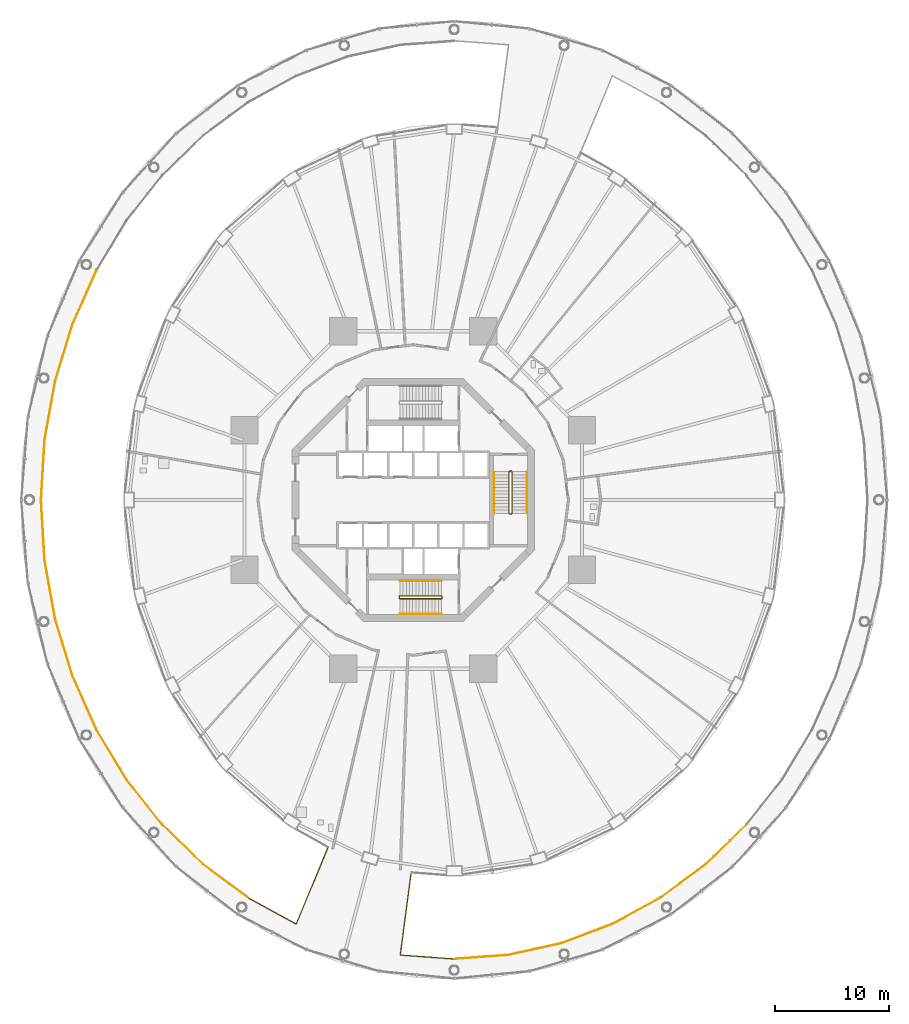
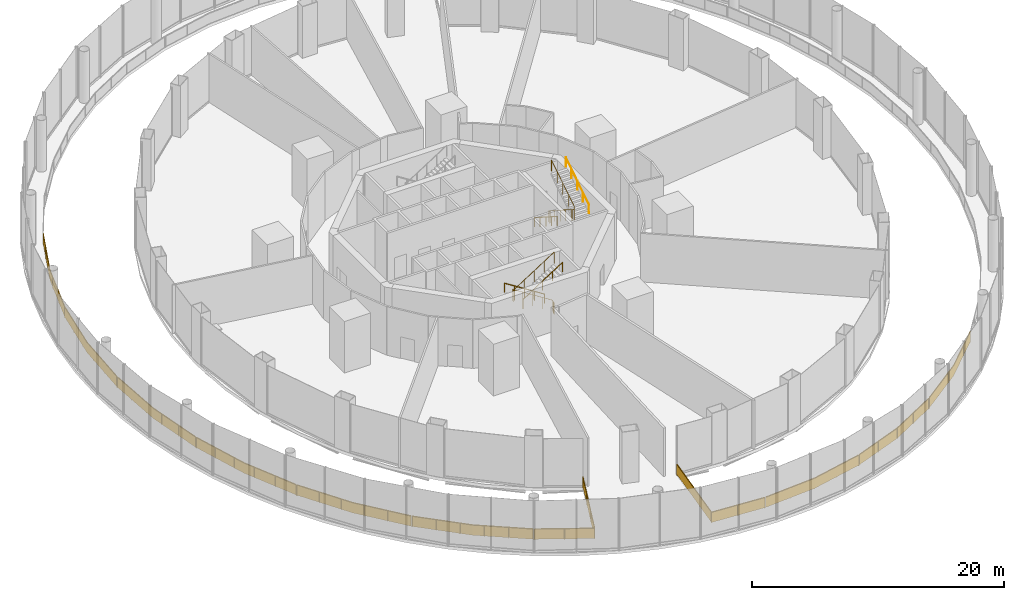
# One storey, part 45 of 47: 17 railings.
"""IFC4 building model written with IfcOpenShell, lengths in metres."""

import ifcopenshell
import ifcopenshell.guid

model = None  # the IFC model being written
_history = None  # IfcOwnerHistory: only IFC2X3 demands one
_inside = {}  # id of a spatial element -> (the spatial element, [elements in it])
_under = {}  # id of a project, library or spatial element -> (it, [spatial elements below it])
_declared = {}  # id of a project -> (the project, [libraries it declares])
_typed = {}  # id of a type object -> (the type object, [elements of that type])
_made_of = {}  # id of a material, layer set ... -> (it, [elements and type objects made of it])


def new_model(schema):
    """Start an empty IFC model of exactly this schema.

    Asked for "IFC4X3", IfcOpenShell would pick the latest addendum, in which some entities
    have other attributes; the version numbers below select the first issue.
    IFC2X3 requires an IfcOwnerHistory on every rooted entity: one is made here for all.
    """
    global model, _history
    if schema == "IFC4X3":
        model = ifcopenshell.file(schema_version=(4, 3, 0, 0))
    else:
        model = ifcopenshell.file(schema=schema)
    _inside.clear()
    _under.clear()
    _declared.clear()
    _typed.clear()
    _made_of.clear()
    _history = None
    if model.schema == "IFC2X3":
        org = make("IfcOrganization", Name="unknown")
        user = make(
            "IfcPersonAndOrganization",
            ThePerson=make("IfcPerson", FamilyName="unknown"),
            TheOrganization=org,
        )
        app = make(
            "IfcApplication",
            ApplicationDeveloper=org,
            Version="unknown",
            ApplicationFullName="unknown",
            ApplicationIdentifier="unknown",
        )
        _history = make(
            "IfcOwnerHistory",
            OwningUser=user,
            OwningApplication=app,
            ChangeAction="ADDED",
            CreationDate=0,
        )
    return model


def make(cls, **values):
    """One entity of the class cls with the attributes given. An attribute that is None is left unset."""
    return model.create_entity(
        cls, **{name: value for name, value in values.items() if value is not None}
    )


def rooted(cls, **values):
    """An entity with a GlobalId (a new one), such as an element, a storey or a relation."""
    return make(cls, GlobalId=ifcopenshell.guid.new(), OwnerHistory=_history, **values)


def si_unit(unit_type, name, prefix=None):
    """IfcSIUnit, for example si_unit("LENGTHUNIT", "METRE", prefix="MILLI")."""
    return make("IfcSIUnit", UnitType=unit_type, Prefix=prefix, Name=name)


def assignment(units):
    """IfcUnitAssignment: the units of a project."""
    return None if units is None else make("IfcUnitAssignment", Units=units)


def point(xyz):
    """IfcCartesianPoint."""
    return None if xyz is None else make("IfcCartesianPoint", Coordinates=xyz)


def direction(xyz):
    """IfcDirection."""
    return None if xyz is None else make("IfcDirection", DirectionRatios=xyz)


def frame(location, z_axis=None, x_axis=None):
    """IfcAxis2Placement3D, a coordinate frame: its origin and axes. An axis left out is left unset."""
    return make(
        "IfcAxis2Placement3D",
        Location=point(location),
        Axis=direction(z_axis),
        RefDirection=direction(x_axis),
    )


def frame_2d(location, x_axis=None):
    """IfcAxis2Placement2D, a coordinate frame in the plane: its origin and x axis."""
    return make(
        "IfcAxis2Placement2D", Location=point(location), RefDirection=direction(x_axis)
    )


def origin():
    """The frame at (0, 0, 0) with its axes left unset."""
    return frame((0.0, 0.0, 0.0))


def origin_2d():
    """The frame at (0, 0) in the plane with its x axis left unset."""
    return frame_2d((0.0, 0.0))


def place(relative_to, where):
    """IfcLocalPlacement: puts the frame where relative to a parent placement (None: the world)."""
    return make(
        "IfcLocalPlacement", PlacementRelTo=relative_to, RelativePlacement=where
    )


def context(
    kind, dimensions, precision=None, world=None, true_north=None, identifier=None
):
    """IfcGeometricRepresentationContext, for example the 3D "Model" context."""
    return make(
        "IfcGeometricRepresentationContext",
        ContextIdentifier=identifier,
        ContextType=kind,
        CoordinateSpaceDimension=dimensions,
        Precision=precision,
        WorldCoordinateSystem=world,
        TrueNorth=true_north,
    )


def subcontext(parent, identifier, kind, view, scale=None):
    """IfcGeometricRepresentationSubContext, for example "Body" below "Model"."""
    return make(
        "IfcGeometricRepresentationSubContext",
        ContextIdentifier=identifier,
        ContextType=kind,
        ParentContext=parent,
        TargetScale=scale,
        TargetView=view,
    )


def project(units=None, contexts=None):
    """IfcProject with its units and contexts."""
    return rooted(
        "IfcProject",
        Name="project",
        RepresentationContexts=contexts,
        UnitsInContext=assignment(units),
    )


def spatial(cls, under=None, at=None, **own):
    """A site, building, storey or space (cls), placed at a placement, below another one or the project."""
    s = rooted(cls, ObjectPlacement=at, **own)
    if under is not None:
        _under.setdefault(under.id(), (under, []))[1].append(s)
    return s


def polyline(points):
    """IfcPolyline through the points."""
    return make("IfcPolyline", Points=[point(p) for p in points])


def profile(cls, at=None, kind="AREA", **sizes):
    """A parametric profile (cls). Its sizes go by their IFC names, for example OverallWidth=200.0."""
    return make(cls, ProfileType=kind, Position=at, **sizes)


def rectangle(**sizes):
    """IfcRectangleProfileDef."""
    return profile("IfcRectangleProfileDef", **sizes)


def circle(**sizes):
    """IfcCircleProfileDef."""
    return profile("IfcCircleProfileDef", **sizes)


def outline(outer, holes=None, kind="AREA"):
    """IfcArbitraryClosedProfileDef: a profile drawn as a closed curve; with holes, ...WithVoids."""
    if holes is None:
        return make("IfcArbitraryClosedProfileDef", ProfileType=kind, OuterCurve=outer)
    return make(
        "IfcArbitraryProfileDefWithVoids",
        ProfileType=kind,
        OuterCurve=outer,
        InnerCurves=holes,
    )


def extrude(swept, where, along, depth):
    """IfcExtrudedAreaSolid: the profile swept, set in the frame where, extruded along a direction by depth."""
    return make(
        "IfcExtrudedAreaSolid",
        SweptArea=swept,
        Position=where,
        ExtrudedDirection=direction(along),
        Depth=depth,
    )


def shape(context_of_items, identifier, shape_type, items):
    """IfcShapeRepresentation: the items that make up one representation, for example the "Body"."""
    return make(
        "IfcShapeRepresentation",
        ContextOfItems=context_of_items,
        RepresentationIdentifier=identifier,
        RepresentationType=shape_type,
        Items=items,
    )


def material(Name=None, Category=None):
    """IfcMaterial."""
    return make("IfcMaterial", Name=Name, Category=Category)


def made_of(thing, what):
    """Note that an element or type object is made of a material, layer set ...; save() writes the relation."""
    if what is not None:
        _made_of.setdefault(what.id(), (what, []))[1].append(thing)
    return thing


def type_object(cls, material=None, **own):
    """A type object (cls), such as IfcWallType, which elements share."""
    return made_of(rooted(cls, **own), material)


def element(
    cls,
    number,
    at=None,
    inside=None,
    cuts=None,
    type_object=None,
    material=None,
    context=None,
    identifier="Body",
    shape_type=None,
    held_by="IfcProductDefinitionShape",
    body=None,
    shapes=None,
    **own,
):
    """One element of the class cls, such as IfcWall. Its Tag is "e" and its number.

    at: its placement. inside: the storey or other place that contains it. cuts: it is an
    opening in that element (IfcRelVoidsElement). A single representation is given by context,
    identifier, shape_type and body (its items); several are given by shapes. held_by: the class
    of the entity that holds the representations. save() writes the other relations.
    """
    e = rooted(cls, Tag="e%d" % number, ObjectPlacement=at, **own)
    if body is not None:
        shapes = [shape(context, identifier, shape_type, body)]
    if shapes is not None:
        e.Representation = make(held_by, Representations=shapes)
    if inside is not None:
        _inside.setdefault(inside.id(), (inside, []))[1].append(e)
    if cuts is not None:
        rooted(
            "IfcRelVoidsElement", RelatingBuildingElement=cuts, RelatedOpeningElement=e
        )
    if type_object is not None:
        _typed.setdefault(type_object.id(), (type_object, []))[1].append(e)
    return made_of(e, material)


def aggregate(whole, parts):
    """IfcRelAggregates: a whole, such as a stair, and the parts it consists of."""
    return rooted("IfcRelAggregates", RelatingObject=whole, RelatedObjects=parts)


def save(model, path):
    """Write the relations noted so far, then the file.

    IfcRelAggregates (storeys below a building ...), IfcRelContainedInSpatialStructure (elements
    in a storey), IfcRelDefinesByType, IfcRelAssociatesMaterial and IfcRelDeclares: one each for
    every whole, place, type object, material and project.
    """
    for whole, parts in _under.values():
        aggregate(whole, parts)
    for where, things in _inside.values():
        rooted(
            "IfcRelContainedInSpatialStructure",
            RelatedElements=things,
            RelatingStructure=where,
        )
    for kind, things in _typed.values():
        rooted("IfcRelDefinesByType", RelatedObjects=things, RelatingType=kind)
    for what, things in _made_of.values():
        rooted("IfcRelAssociatesMaterial", RelatedObjects=things, RelatingMaterial=what)
    for by, libraries in _declared.values():
        rooted("IfcRelDeclares", RelatingContext=by, RelatedDefinitions=libraries)
    model.write(path)


model = new_model("IFC4")

# Units and contexts
model_context = context("Model", 3, precision=1e-05, world=origin(), true_north=direction((0.0, 1.0)))
body_context = subcontext(model_context, "Body", "Model", "MODEL_VIEW")
ifc_project = project(units=[si_unit("LENGTHUNIT", "METRE"), si_unit("AREAUNIT", "SQUARE_METRE"), si_unit("VOLUMEUNIT", "CUBIC_METRE"), si_unit("PLANEANGLEUNIT", "RADIAN"), si_unit("MASSUNIT", "GRAM", prefix="KILO")], contexts=[model_context])

# Site, building, storey
site_placement = place(None, origin())
site = spatial("IfcSite", under=ifc_project, at=site_placement, CompositionType="ELEMENT")
building_placement = place(site_placement, origin())
building = spatial("IfcBuilding", under=site, at=building_placement, Name="Nagisa Residences", CompositionType="ELEMENT")
storey_placement = place(building_placement, frame((0.0, 0.0, 7.0)))
storey = spatial("IfcBuildingStorey", under=building, at=storey_placement, Name="L01", CompositionType="ELEMENT", Elevation=7.0)

# Railings
ifc_material_1 = material(Name="Stainless steel 316", Category="steel")
railing_type_1 = type_object("IfcRailingType", Name="ROOF GUARD 1100", PredefinedType="GUARDRAIL", material=ifc_material_1)
railing_1_placement = place(storey_placement, frame((-27.766357421875, 20.0634765625, 0.0)))
element("IfcRailing", 1, at=railing_1_placement, inside=storey, type_object=railing_type_1, Name="guard:L01:gal0-05", PredefinedType="GUARDRAIL", context=body_context, shape_type="SweptSolid", body=[
    extrude(outline(polyline([(-2.0546875, -4.6884765625), (0.02294921875, -0.01025390625), (-0.02294921875, 0.01025390625), (-2.1015625, -4.6708984375), (-3.6123046875, -9.61328125), (-3.564453125, -9.6279296875), (-2.0546875, -4.6884765625)])), frame((0.0, 0.0, 1.050048828125)), (0.0, 0.0, 1.0), 0.050048828125),
    extrude(outline(polyline([(-2.071533203125, -4.68212890625), (0.00634765625, -0.0029296875), (-0.00634765625, 0.0029296875), (-2.084716796875, -4.67724609375), (-3.594970703125, -9.61865234375), (-3.581787109375, -9.62255859375), (-2.071533203125, -4.68212890625)])), frame((0.0, 0.0, 0.06005859375)), (0.0, 0.0, 1.0), 0.989990234375),
    extrude(rectangle(XDim=0.0400390625, YDim=0.0400390625, at=origin_2d()), origin(), (0.0, 0.0, 1.0), 1.050048828125),
    extrude(rectangle(XDim=0.0400390625, YDim=0.0400390625, at=origin_2d()), frame((-0.8349609375, -1.88037109375, 0.0)), (0.0, 0.0, 1.0), 1.050048828125),
    extrude(rectangle(XDim=0.0400390625, YDim=0.0400390625, at=origin_2d()), frame((-1.669921875, -3.7607421875, 0.0)), (0.0, 0.0, 1.0), 1.050048828125),
    extrude(rectangle(XDim=0.0400390625, YDim=0.0400390625, at=origin_2d()), frame((-2.385498046875, -5.685546875, 0.0)), (0.0, 0.0, 1.0), 1.050048828125),
    extrude(rectangle(XDim=0.0400390625, YDim=0.0400390625, at=origin_2d()), frame((-2.987060546875, -7.653076171875, 0.0)), (0.0, 0.0, 1.0), 1.050048828125),
    extrude(rectangle(XDim=0.0400390625, YDim=0.0400390625, at=origin_2d()), frame((-3.58837890625, -9.62060546875, 0.0)), (0.0, 0.0, 1.0), 1.050048828125),
])
railing_2_placement = place(storey_placement, frame((-31.37353515625, 10.365234375, 0.0)))
element("IfcRailing", 2, at=railing_2_placement, inside=storey, type_object=railing_type_1, Name="guard:L01:gal0-06", PredefinedType="GUARDRAIL", context=body_context, shape_type="SweptSolid", body=[
    extrude(outline(polyline([(-0.891845703125, -5.12109375), (0.024658203125, -0.00439453125), (-0.024658203125, 0.00439453125), (-0.941650390625, -5.115234375), (-1.2490234375, -10.32373046875), (-1.19921875, -10.32666015625), (-0.891845703125, -5.12109375)])), frame((0.0, 0.0, 1.050048828125)), (0.0, 0.0, 1.0), 0.050048828125),
    extrude(outline(polyline([(-0.90966796875, -5.118896484375), (0.0068359375, -0.001220703125), (-0.0068359375, 0.001220703125), (-0.923828125, -5.117431640625), (-1.231201171875, -10.32470703125), (-1.217041015625, -10.32568359375), (-0.90966796875, -5.118896484375)])), frame((0.0, 0.0, 0.06005859375)), (0.0, 0.0, 1.0), 0.989990234375),
    extrude(rectangle(XDim=0.0400390625, YDim=0.0400390625, at=origin_2d()), origin(), (0.0, 0.0, 1.0), 1.050048828125),
    extrude(rectangle(XDim=0.0400390625, YDim=0.0400390625, at=origin_2d()), frame((-0.3671875, -2.050537109375, 0.0)), (0.0, 0.0, 1.0), 1.050048828125),
    extrude(rectangle(XDim=0.0400390625, YDim=0.0400390625, at=origin_2d()), frame((-0.734619140625, -4.10107421875, 0.0)), (0.0, 0.0, 1.0), 1.050048828125),
    extrude(rectangle(XDim=0.0400390625, YDim=0.0400390625, at=origin_2d()), frame((-0.978515625, -6.166259765625, 0.0)), (0.0, 0.0, 1.0), 1.050048828125),
    extrude(rectangle(XDim=0.0400390625, YDim=0.0400390625, at=origin_2d()), frame((-1.101318359375, -8.24560546875, 0.0)), (0.0, 0.0, 1.0), 1.050048828125),
    extrude(rectangle(XDim=0.0400390625, YDim=0.0400390625, at=origin_2d()), frame((-1.22412109375, -10.3251953125, 0.0)), (0.0, 0.0, 1.0), 1.050048828125),
])
railing_3_placement = place(storey_placement, frame((-32.59765625, -0.0400390625, 0.0)))
element("IfcRailing", 3, at=railing_3_placement, inside=storey, type_object=railing_type_1, Name="guard:L01:gal0-07", PredefinedType="GUARDRAIL", context=body_context, shape_type="SweptSolid", body=[
    extrude(outline(polyline([(0.332275390625, -5.2041015625), (0.02490234375, 0.00146484375), (-0.02490234375, -0.00146484375), (0.282470703125, -5.2099609375), (1.199462890625, -10.32958984375), (1.248779296875, -10.32080078125), (0.332275390625, -5.2041015625)])), frame((0.0, 0.0, 1.050048828125)), (0.0, 0.0, 1.0), 0.050048828125),
    extrude(outline(polyline([(0.314453125, -5.206298828125), (0.007080078125, 0.00048828125), (-0.007080078125, -0.00048828125), (0.30029296875, -5.207763671875), (1.21728515625, -10.326416015625), (1.23095703125, -10.323974609375), (0.314453125, -5.206298828125)])), frame((0.0, 0.0, 0.06005859375)), (0.0, 0.0, 1.0), 0.989990234375),
    extrude(rectangle(XDim=0.0400390625, YDim=0.0400390625, at=origin_2d()), origin(), (0.0, 0.0, 1.0), 1.050048828125),
    extrude(rectangle(XDim=0.0400390625, YDim=0.0400390625, at=origin_2d()), frame((0.122802734375, -2.07958984375, 0.0)), (0.0, 0.0, 1.0), 1.050048828125),
    extrude(rectangle(XDim=0.0400390625, YDim=0.0400390625, at=origin_2d()), frame((0.24560546875, -4.158935546875, 0.0)), (0.0, 0.0, 1.0), 1.050048828125),
    extrude(rectangle(XDim=0.0400390625, YDim=0.0400390625, at=origin_2d()), frame((0.489501953125, -6.22412109375, 0.0)), (0.0, 0.0, 1.0), 1.050048828125),
    extrude(rectangle(XDim=0.0400390625, YDim=0.0400390625, at=origin_2d()), frame((0.85693359375, -8.274658203125, 0.0)), (0.0, 0.0, 1.0), 1.050048828125),
    extrude(rectangle(XDim=0.0400390625, YDim=0.0400390625, at=origin_2d()), frame((1.22412109375, -10.3251953125, 0.0)), (0.0, 0.0, 1.0), 1.050048828125),
])
railing_4_placement = place(storey_placement, frame((-31.354736328125, -10.44287109375, 0.0)))
element("IfcRailing", 4, at=railing_4_placement, inside=storey, type_object=railing_type_1, Name="guard:L01:gal0-08", PredefinedType="GUARDRAIL", context=body_context, shape_type="SweptSolid", body=[
    extrude(outline(polyline([(1.53369140625, -4.93212890625), (0.02392578125, 0.00732421875), (-0.02392578125, -0.00732421875), (1.48681640625, -4.94970703125), (3.5654296875, -9.630859375), (3.611328125, -9.6103515625), (1.53369140625, -4.93212890625)])), frame((0.0, 0.0, 1.050048828125)), (0.0, 0.0, 1.0), 0.050048828125),
    extrude(outline(polyline([(1.516845703125, -4.9384765625), (0.006591796875, 0.001953125), (-0.006591796875, -0.001953125), (1.503662109375, -4.943359375), (3.58203125, -9.62353515625), (3.5947265625, -9.61767578125), (1.516845703125, -4.9384765625)])), frame((0.0, 0.0, 0.06005859375)), (0.0, 0.0, 1.0), 0.989990234375),
    extrude(rectangle(XDim=0.0400390625, YDim=0.0400390625, at=origin_2d()), origin(), (0.0, 0.0, 1.0), 1.050048828125),
    extrude(rectangle(XDim=0.0400390625, YDim=0.0400390625, at=origin_2d()), frame((0.601318359375, -1.967529296875, 0.0)), (0.0, 0.0, 1.0), 1.050048828125),
    extrude(rectangle(XDim=0.0400390625, YDim=0.0400390625, at=origin_2d()), frame((1.202880859375, -3.93505859375, 0.0)), (0.0, 0.0, 1.0), 1.050048828125),
    extrude(rectangle(XDim=0.0400390625, YDim=0.0400390625, at=origin_2d()), frame((1.91845703125, -5.85986328125, 0.0)), (0.0, 0.0, 1.0), 1.050048828125),
    extrude(rectangle(XDim=0.0400390625, YDim=0.0400390625, at=origin_2d()), frame((2.75341796875, -7.740234375, 0.0)), (0.0, 0.0, 1.0), 1.050048828125),
    extrude(rectangle(XDim=0.0400390625, YDim=0.0400390625, at=origin_2d()), frame((3.58837890625, -9.62060546875, 0.0)), (0.0, 0.0, 1.0), 1.050048828125),
])
railing_5_placement = place(storey_placement, frame((-27.7294921875, -20.13427734375, 0.0)))
element("IfcRailing", 5, at=railing_5_placement, inside=storey, type_object=railing_type_1, Name="guard:L01:gal0-09", PredefinedType="GUARDRAIL", context=body_context, shape_type="SweptSolid", body=[
    extrude(outline(polyline([(2.630615234375, -4.32373046875), (0.021484375, 0.012939453125), (-0.021484375, -0.012939453125), (2.589599609375, -4.35205078125), (5.68798828125, -8.275634765625), (5.72705078125, -8.244384765625), (2.630615234375, -4.32373046875)])), frame((0.0, 0.0, 1.050048828125)), (0.0, 0.0, 1.0), 0.050048828125),
    extrude(outline(polyline([(2.615966796875, -4.333984375), (0.006103515625, 0.003662109375), (-0.006103515625, -0.003662109375), (2.604248046875, -4.341796875), (5.701904296875, -8.264404296875), (5.713134765625, -8.255615234375), (2.615966796875, -4.333984375)])), frame((0.0, 0.0, 0.06005859375)), (0.0, 0.0, 1.0), 0.989990234375),
    extrude(rectangle(XDim=0.0400390625, YDim=0.0400390625, at=origin_2d()), origin(), (0.0, 0.0, 1.0), 1.050048828125),
    extrude(rectangle(XDim=0.0400390625, YDim=0.0400390625, at=origin_2d()), frame((1.037353515625, -1.72412109375, 0.0)), (0.0, 0.0, 1.0), 1.050048828125),
    extrude(rectangle(XDim=0.0400390625, YDim=0.0400390625, at=origin_2d()), frame((2.07470703125, -3.447998046875, 0.0)), (0.0, 0.0, 1.0), 1.050048828125),
    extrude(rectangle(XDim=0.0400390625, YDim=0.0400390625, at=origin_2d()), frame((3.21337890625, -5.10205078125, 0.0)), (0.0, 0.0, 1.0), 1.050048828125),
    extrude(rectangle(XDim=0.0400390625, YDim=0.0400390625, at=origin_2d()), frame((4.46044921875, -6.680908203125, 0.0)), (0.0, 0.0, 1.0), 1.050048828125),
    extrude(rectangle(XDim=0.0400390625, YDim=0.0400390625, at=origin_2d()), frame((5.70751953125, -8.260009765625, 0.0)), (0.0, 0.0, 1.0), 1.050048828125),
])
railing_6_placement = place(storey_placement, frame((-21.968505859375, -28.45361328125, 0.0)))
element("IfcRailing", 6, at=railing_6_placement, inside=storey, type_object=railing_type_1, Name="guard:L01:gal0-10", PredefinedType="GUARDRAIL", context=body_context, shape_type="SweptSolid", body=[
    extrude(outline(polyline([(3.547607421875, -3.420166015625), (0.017578125, 0.017822265625), (-0.017578125, -0.017822265625), (3.514892578125, -3.458251953125), (7.42138671875, -6.356689453125), (7.451171875, -6.316650390625), (3.547607421875, -3.420166015625)])), frame((0.0, 0.0, 1.050048828125)), (0.0, 0.0, 1.0), 0.050048828125),
    extrude(outline(polyline([(3.535888671875, -3.433837890625), (0.0048828125, 0.005126953125), (-0.0048828125, -0.005126953125), (3.526611328125, -3.444580078125), (7.43212890625, -6.34228515625), (7.4404296875, -6.3310546875), (3.535888671875, -3.433837890625)])), frame((0.0, 0.0, 0.06005859375)), (0.0, 0.0, 1.0), 0.989990234375),
    extrude(rectangle(XDim=0.0400390625, YDim=0.0400390625, at=origin_2d()), origin(), (0.0, 0.0, 1.0), 1.050048828125),
    extrude(rectangle(XDim=0.0400390625, YDim=0.0400390625, at=origin_2d()), frame((1.40283203125, -1.366455078125, 0.0)), (0.0, 0.0, 1.0), 1.050048828125),
    extrude(rectangle(XDim=0.0400390625, YDim=0.0400390625, at=origin_2d()), frame((2.805908203125, -2.732666015625, 0.0)), (0.0, 0.0, 1.0), 1.050048828125),
    extrude(rectangle(XDim=0.0400390625, YDim=0.0400390625, at=origin_2d()), frame((4.290771484375, -4.002685546875, 0.0)), (0.0, 0.0, 1.0), 1.050048828125),
    extrude(rectangle(XDim=0.0400390625, YDim=0.0400390625, at=origin_2d()), frame((5.863525390625, -5.169677734375, 0.0)), (0.0, 0.0, 1.0), 1.050048828125),
    extrude(rectangle(XDim=0.0400390625, YDim=0.0400390625, at=origin_2d()), frame((7.436279296875, -6.336669921875, 0.0)), (0.0, 0.0, 1.0), 1.050048828125),
])
railing_7_placement = place(storey_placement, frame((-14.46484375, -34.83349609375, 0.0)))
element("IfcRailing", 7, at=railing_7_placement, inside=storey, type_object=railing_type_1, Name="guard:L01:gal0-11", PredefinedType="GUARDRAIL", context=body_context, shape_type="SweptSolid", body=[
    extrude(outline(polyline([(4.19921875, -2.27099609375), (0.011962890625, 0.02197265625), (-0.011962890625, -0.02197265625), (4.22412109375, -2.341796875), (6.974853515625, 4.299072265625), (6.928466796875, 4.318115234375), (4.19921875, -2.27099609375)])), frame((0.0, 0.0, 1.050048828125)), (0.0, 0.0, 1.0), 0.050048828125),
    extrude(outline(polyline([(4.208251953125, -2.296630859375), (0.00341796875, 0.006103515625), (-0.00341796875, -0.006103515625), (4.215087890625, -2.316162109375), (6.9580078125, 4.305908203125), (6.9453125, 4.311279296875), (4.208251953125, -2.296630859375)])), frame((0.0, 0.0, 0.06005859375)), (0.0, 0.0, 1.0), 0.989990234375),
    extrude(rectangle(XDim=0.0400390625, YDim=0.0400390625, at=origin_2d()), origin(), (0.0, 0.0, 1.0), 1.050048828125),
    extrude(rectangle(XDim=0.0400390625, YDim=0.0400390625, at=origin_2d()), frame((2.098388671875, -1.149169921875, 0.0)), (0.0, 0.0, 1.0), 1.050048828125),
    extrude(rectangle(XDim=0.0400390625, YDim=0.0400390625, at=origin_2d()), frame((4.19677734375, -2.298095703125, 0.0)), (0.0, 0.0, 1.0), 1.050048828125),
    extrude(rectangle(XDim=0.0400390625, YDim=0.0400390625, at=origin_2d()), frame((5.12060546875, -0.11181640625, 0.0)), (0.0, 0.0, 1.0), 1.050048828125),
    extrude(rectangle(XDim=0.0400390625, YDim=0.0400390625, at=origin_2d()), frame((6.0361328125, 2.098388671875, 0.0)), (0.0, 0.0, 1.0), 1.050048828125),
    extrude(rectangle(XDim=0.0400390625, YDim=0.0400390625, at=origin_2d()), frame((6.95166015625, 4.30859375, 0.0)), (0.0, 0.0, 1.0), 1.050048828125),
])
railing_8_placement = place(storey_placement, frame((-0.1904296875, -32.75732421875, 0.0)))
element("IfcRailing", 8, at=railing_8_placement, inside=storey, type_object=railing_type_1, Name="guard:L01:gal1-00", PredefinedType="GUARDRAIL", context=body_context, shape_type="SweptSolid", body=[
    extrude(outline(polyline([(-0.90625, -7.075927734375), (0.02490234375, -0.003173828125), (-0.02490234375, 0.003173828125), (-0.962890625, -7.121826171875), (3.748779296875, -7.464599609375), (3.752197265625, -7.414794921875), (-0.90625, -7.075927734375)])), frame((0.0, 0.0, 1.050048828125)), (0.0, 0.0, 1.0), 0.050048828125),
    extrude(outline(polyline([(-0.9267578125, -7.092529296875), (0.0068359375, -0.0009765625), (-0.0068359375, 0.0009765625), (-0.9423828125, -7.105224609375), (3.75, -7.44677734375), (3.7509765625, -7.4326171875), (-0.9267578125, -7.092529296875)])), frame((0.0, 0.0, 0.06005859375)), (0.0, 0.0, 1.0), 0.989990234375),
    extrude(rectangle(XDim=0.0400390625, YDim=0.0400390625, at=origin_2d()), origin(), (0.0, 0.0, 1.0), 1.050048828125),
    extrude(rectangle(XDim=0.0400390625, YDim=0.0400390625, at=origin_2d()), frame((-0.3095703125, -2.351318359375, 0.0)), (0.0, 0.0, 1.0), 1.050048828125),
    extrude(rectangle(XDim=0.0400390625, YDim=0.0400390625, at=origin_2d()), frame((-0.619140625, -4.702392578125, 0.0)), (0.0, 0.0, 1.0), 1.050048828125),
    extrude(rectangle(XDim=0.0400390625, YDim=0.0400390625, at=origin_2d()), frame((-0.9287109375, -7.0537109375, 0.0)), (0.0, 0.0, 1.0), 1.050048828125),
    extrude(rectangle(XDim=0.0400390625, YDim=0.0400390625, at=origin_2d()), frame((1.38525390625, -7.267578125, 0.0)), (0.0, 0.0, 1.0), 1.050048828125),
    extrude(rectangle(XDim=0.0400390625, YDim=0.0400390625, at=origin_2d()), frame((3.75048828125, -7.439697265625, 0.0)), (0.0, 0.0, 1.0), 1.050048828125),
])
railing_9_placement = place(storey_placement, frame((3.639892578125, -40.197021484375, 0.0)))
element("IfcRailing", 9, at=railing_9_placement, inside=storey, type_object=railing_type_1, Name="guard:L01:gal1-01", PredefinedType="GUARDRAIL", context=body_context, shape_type="SweptSolid", body=[
    extrude(outline(polyline([(4.681396484375, 0.36572265625), (-0.001708984375, 0.02490234375), (0.001708984375, -0.02490234375), (4.688720703125, 0.31591796875), (9.295654296875, 1.333740234375), (9.284912109375, 1.382568359375), (4.681396484375, 0.36572265625)])), frame((0.0, 0.0, 1.050048828125)), (0.0, 0.0, 1.0), 0.050048828125),
    extrude(outline(polyline([(4.68408203125, 0.34765625), (-0.00048828125, 0.007080078125), (0.00048828125, -0.007080078125), (4.68603515625, 0.333984375), (9.291748046875, 1.351318359375), (9.288818359375, 1.364990234375), (4.68408203125, 0.34765625)])), frame((0.0, 0.0, 0.06005859375)), (0.0, 0.0, 1.0), 0.989990234375),
    extrude(rectangle(XDim=0.0400390625, YDim=0.0400390625, at=origin_2d()), origin(), (0.0, 0.0, 1.0), 1.050048828125),
    extrude(rectangle(XDim=0.0400390625, YDim=0.0400390625, at=origin_2d()), frame((2.34716796875, 0.170654296875, 0.0)), (0.0, 0.0, 1.0), 1.050048828125),
    extrude(rectangle(XDim=0.0400390625, YDim=0.0400390625, at=origin_2d()), frame((4.6943359375, 0.3427734375, 0.0)), (0.0, 0.0, 1.0), 1.050048828125),
    extrude(rectangle(XDim=0.0400390625, YDim=0.0400390625, at=origin_2d()), frame((6.9921875, 0.8505859375, 0.0)), (0.0, 0.0, 1.0), 1.050048828125),
    extrude(rectangle(XDim=0.0400390625, YDim=0.0400390625, at=origin_2d()), frame((9.290283203125, 1.358154296875, 0.0)), (0.0, 0.0, 1.0), 1.050048828125),
])
railing_10_placement = place(storey_placement, frame((13.006591796875, -38.816162109375, 0.0)))
element("IfcRailing", 10, at=railing_10_placement, inside=storey, type_object=railing_type_1, Name="guard:L01:gal1-02", PredefinedType="GUARDRAIL", context=body_context, shape_type="SweptSolid", body=[
    extrude(outline(polyline([(4.43603515625, 1.698974609375), (-0.0087890625, 0.0234375), (0.0087890625, -0.0234375), (4.45703125, 1.653564453125), (8.670166015625, 3.960693359375), (8.646240234375, 4.004638671875), (4.43603515625, 1.698974609375)])), frame((0.0, 0.0, 1.050048828125)), (0.0, 0.0, 1.0), 0.050048828125),
    extrude(outline(polyline([(4.443603515625, 1.6826171875), (-0.00244140625, 0.006591796875), (0.00244140625, -0.006591796875), (4.449462890625, 1.669921875), (8.66162109375, 3.9765625), (8.65478515625, 3.98876953125), (4.443603515625, 1.6826171875)])), frame((0.0, 0.0, 0.06005859375)), (0.0, 0.0, 1.0), 0.989990234375),
    extrude(rectangle(XDim=0.0400390625, YDim=0.0400390625, at=origin_2d()), origin(), (0.0, 0.0, 1.0), 1.050048828125),
    extrude(rectangle(XDim=0.0400390625, YDim=0.0400390625, at=origin_2d()), frame((2.23486328125, 0.842529296875, 0.0)), (0.0, 0.0, 1.0), 1.050048828125),
    extrude(rectangle(XDim=0.0400390625, YDim=0.0400390625, at=origin_2d()), frame((4.468505859375, 1.688232421875, 0.0)), (0.0, 0.0, 1.0), 1.050048828125),
    extrude(rectangle(XDim=0.0400390625, YDim=0.0400390625, at=origin_2d()), frame((6.563232421875, 2.83544921875, 0.0)), (0.0, 0.0, 1.0), 1.050048828125),
    extrude(rectangle(XDim=0.0400390625, YDim=0.0400390625, at=origin_2d()), frame((8.658203125, 3.982666015625, 0.0)), (0.0, 0.0, 1.0), 1.050048828125),
])
railing_11_placement = place(storey_placement, frame((21.732177734375, -34.790283203125, 0.0)))
element("IfcRailing", 11, at=railing_11_placement, inside=storey, type_object=railing_type_1, Name="guard:L01:gal1-03", PredefinedType="GUARDRAIL", context=body_context, shape_type="SweptSolid", body=[
    extrude(outline(polyline([(3.888671875, 2.91650390625), (-0.014892578125, 0.02001953125), (0.014892578125, -0.02001953125), (3.92138671875, 2.87841796875), (7.4541015625, 6.31884765625), (7.4189453125, 6.3544921875), (3.888671875, 2.91650390625)])), frame((0.0, 0.0, 1.050048828125)), (0.0, 0.0, 1.0), 0.050048828125),
    extrude(outline(polyline([(3.900390625, 2.90283203125), (-0.004150390625, 0.005615234375), (0.004150390625, -0.005615234375), (3.90966796875, 2.89208984375), (7.44140625, 6.33154296875), (7.431640625, 6.341796875), (3.900390625, 2.90283203125)])), frame((0.0, 0.0, 0.06005859375)), (0.0, 0.0, 1.0), 0.989990234375),
    extrude(rectangle(XDim=0.0400390625, YDim=0.0400390625, at=origin_2d()), origin(), (0.0, 0.0, 1.0), 1.050048828125),
    extrude(rectangle(XDim=0.0400390625, YDim=0.0400390625, at=origin_2d()), frame((1.57275390625, 1.1669921875, 0.0)), (0.0, 0.0, 1.0), 1.050048828125),
    extrude(rectangle(XDim=0.0400390625, YDim=0.0400390625, at=origin_2d()), frame((3.1455078125, 2.333984375, 0.0)), (0.0, 0.0, 1.0), 1.050048828125),
    extrude(rectangle(XDim=0.0400390625, YDim=0.0400390625, at=origin_2d()), frame((4.630615234375, 3.60400390625, 0.0)), (0.0, 0.0, 1.0), 1.050048828125),
    extrude(rectangle(XDim=0.0400390625, YDim=0.0400390625, at=origin_2d()), frame((6.033447265625, 4.97021484375, 0.0)), (0.0, 0.0, 1.0), 1.050048828125),
    extrude(rectangle(XDim=0.0400390625, YDim=0.0400390625, at=origin_2d()), frame((7.4365234375, 6.336669921875, 0.0)), (0.0, 0.0, 1.0), 1.050048828125),
])
ifc_material_2 = material(Name="Stainless steel", Category="steel")
railing_type_2 = type_object("IfcRailingType", Name="Stair guard 1100", PredefinedType="GUARDRAIL", material=ifc_material_2)
railing_12_placement = place(storey_placement, frame((8.599609375, 2.52490234375, 0.0)))
element("IfcRailing", 12, at=railing_12_placement, inside=storey, type_object=railing_type_2, Name="L01 ST-E stair guard 1", PredefinedType="GUARDRAIL", context=body_context, shape_type="SweptSolid", body=[
    extrude(circle(Radius=0.02392578125, at=origin_2d()), frame((0.0, 0.0, 1.076171875), z_axis=(-1.0, 0.0, 0.0), x_axis=(0.0, -1.0, 0.0)), (0.0, 0.0, 1.0), 0.14990234375),
    extrude(circle(Radius=0.02392578125, at=origin_2d()), frame((-0.14990234375, 0.0, 1.076171875), z_axis=(-0.26077077684, -0.25949872427, 0.929870428634), x_axis=(0.705375805398, -0.708833529934, 0.0)), (0.0, 0.0, 1.0), 0.19189453125),
    extrude(circle(Radius=0.02392578125, at=origin_2d()), frame((-0.199951171875, -0.0498046875, 1.25439453125), z_axis=(0.0, -0.843127859045, 0.537713132908), x_axis=(1.0, 0.0, 0.0)), (0.0, 0.0, 1.0), 4.3173828125),
    extrude(circle(Radius=0.02392578125, at=origin_2d()), frame((-0.199951171875, -3.68994140625, 3.576171875), z_axis=(0.707106781187, -0.707106781187, 0.0), x_axis=(0.707106781187, 0.707106781187, 0.0)), (0.0, 0.0, 1.0), 0.07080078125),
    extrude(circle(Radius=0.02392578125, at=origin_2d()), frame((-0.14990234375, -3.739990234375, 3.576171875), z_axis=(1.0, 0.0, 0.0), x_axis=(0.0, 1.0, 0.0)), (0.0, 0.0, 1.0), 0.14990234375),
    extrude(circle(Radius=0.02392578125, at=origin_2d()), frame((0.0, -3.739990234375, 3.576171875), z_axis=(0.260684529273, 0.260684529273, 0.929562882432), x_axis=(-0.707106781187, 0.707106781187, 0.0)), (0.0, 0.0, 1.0), 0.19189453125),
    extrude(circle(Radius=0.02392578125, at=origin_2d()), frame((0.050048828125, -3.68994140625, 3.75439453125), z_axis=(0.0, 0.843127859045, 0.537713132908), x_axis=(-1.0, 0.0, 0.0)), (0.0, 0.0, 1.0), 4.3173828125),
    extrude(circle(Radius=0.02099609375, at=origin_2d()), origin(), (0.0, 0.0, 1.0), 1.052001953125),
    extrude(circle(Radius=0.02099609375, at=origin_2d()), frame((-0.14990234375, 0.0, 0.0)), (0.0, 0.0, 1.0), 1.052001953125),
    extrude(circle(Radius=0.02099609375, at=origin_2d()), frame((-0.199951171875, -0.0498046875, 0.178466796875)), (0.0, 0.0, 1.0), 1.052001953125),
    extrude(circle(Radius=0.02099609375, at=origin_2d()), frame((-0.199951171875, -0.9599609375, 0.7587890625)), (0.0, 0.0, 1.0), 1.052001953125),
    extrude(circle(Radius=0.02099609375, at=origin_2d()), frame((-0.199951171875, -1.869873046875, 1.33935546875)), (0.0, 0.0, 1.0), 1.052001953125),
    extrude(circle(Radius=0.02099609375, at=origin_2d()), frame((-0.199951171875, -2.77978515625, 1.919677734375)), (0.0, 0.0, 1.0), 1.052001953125),
    extrude(circle(Radius=0.02099609375, at=origin_2d()), frame((-0.199951171875, -3.68994140625, 2.5)), (0.0, 0.0, 1.0), 1.052001953125),
    extrude(circle(Radius=0.02099609375, at=origin_2d()), frame((-0.14990234375, -3.739990234375, 2.5)), (0.0, 0.0, 1.0), 1.052001953125),
    extrude(circle(Radius=0.02099609375, at=origin_2d()), frame((0.0, -3.739990234375, 2.5)), (0.0, 0.0, 1.0), 1.052001953125),
    extrude(circle(Radius=0.02099609375, at=origin_2d()), frame((0.050048828125, -3.68994140625, 2.678466796875)), (0.0, 0.0, 1.0), 1.052001953125),
    extrude(circle(Radius=0.02099609375, at=origin_2d()), frame((0.050048828125, -2.77978515625, 3.2587890625)), (0.0, 0.0, 1.0), 1.052001953125),
    extrude(circle(Radius=0.02099609375, at=origin_2d()), frame((0.050048828125, -1.869873046875, 3.83935546875)), (0.0, 0.0, 1.0), 1.052001953125),
    extrude(circle(Radius=0.02099609375, at=origin_2d()), frame((0.050048828125, -0.9599609375, 4.419677734375)), (0.0, 0.0, 1.0), 1.052001953125),
    extrude(circle(Radius=0.02099609375, at=origin_2d()), frame((0.050048828125, -0.0498046875, 5.0)), (0.0, 0.0, 1.0), 1.052001953125),
])
railing_13_placement = place(storey_placement, frame((2.52490234375, -8.599609375, 0.0)))
element("IfcRailing", 13, at=railing_13_placement, inside=storey, type_object=railing_type_2, Name="L01 ST-S stair guard 1", PredefinedType="GUARDRAIL", context=body_context, shape_type="SweptSolid", body=[
    extrude(circle(Radius=0.02392578125, at=origin_2d()), frame((0.0, 0.0, 1.076171875), z_axis=(0.0, 1.0, 0.0), x_axis=(-1.0, 0.0, 0.0)), (0.0, 0.0, 1.0), 0.14990234375),
    extrude(circle(Radius=0.02392578125, at=origin_2d()), frame((0.0, 0.14990234375, 1.076171875), z_axis=(-0.25949872427, 0.26077077684, 0.929870428634), x_axis=(-0.708833529934, -0.705375805398, 0.0)), (0.0, 0.0, 1.0), 0.19189453125),
    extrude(circle(Radius=0.02392578125, at=origin_2d()), frame((-0.0498046875, 0.199951171875, 1.25439453125), z_axis=(-0.843127859045, 0.0, 0.537713132908), x_axis=(0.0, -1.0, 0.0)), (0.0, 0.0, 1.0), 4.3173828125),
    extrude(circle(Radius=0.02392578125, at=origin_2d()), frame((-3.68994140625, 0.199951171875, 3.576171875), z_axis=(-0.707106781187, -0.707106781187, 0.0), x_axis=(0.707106781187, -0.707106781187, 0.0)), (0.0, 0.0, 1.0), 0.07080078125),
    extrude(circle(Radius=0.02392578125, at=origin_2d()), frame((-3.739990234375, 0.14990234375, 3.576171875), z_axis=(0.0, -1.0, 0.0), x_axis=(1.0, 0.0, 0.0)), (0.0, 0.0, 1.0), 0.14990234375),
    extrude(circle(Radius=0.02392578125, at=origin_2d()), frame((-3.739990234375, 0.0, 3.576171875), z_axis=(0.260684529273, -0.260684529273, 0.929562882432), x_axis=(0.707106781187, 0.707106781187, 0.0)), (0.0, 0.0, 1.0), 0.19189453125),
    extrude(circle(Radius=0.02392578125, at=origin_2d()), frame((-3.68994140625, -0.050048828125, 3.75439453125), z_axis=(0.843127859045, 0.0, 0.537713132908), x_axis=(0.0, 1.0, 0.0)), (0.0, 0.0, 1.0), 4.3173828125),
    extrude(circle(Radius=0.02099609375, at=origin_2d()), origin(), (0.0, 0.0, 1.0), 1.052001953125),
    extrude(circle(Radius=0.02099609375, at=origin_2d()), frame((0.0, 0.14990234375, 0.0)), (0.0, 0.0, 1.0), 1.052001953125),
    extrude(circle(Radius=0.02099609375, at=origin_2d()), frame((-0.0498046875, 0.199951171875, 0.178466796875)), (0.0, 0.0, 1.0), 1.052001953125),
    extrude(circle(Radius=0.02099609375, at=origin_2d()), frame((-0.9599609375, 0.199951171875, 0.7587890625)), (0.0, 0.0, 1.0), 1.052001953125),
    extrude(circle(Radius=0.02099609375, at=origin_2d()), frame((-1.869873046875, 0.199951171875, 1.33935546875)), (0.0, 0.0, 1.0), 1.052001953125),
    extrude(circle(Radius=0.02099609375, at=origin_2d()), frame((-2.77978515625, 0.199951171875, 1.919677734375)), (0.0, 0.0, 1.0), 1.052001953125),
    extrude(circle(Radius=0.02099609375, at=origin_2d()), frame((-3.68994140625, 0.199951171875, 2.5)), (0.0, 0.0, 1.0), 1.052001953125),
    extrude(circle(Radius=0.02099609375, at=origin_2d()), frame((-3.739990234375, 0.14990234375, 2.5)), (0.0, 0.0, 1.0), 1.052001953125),
    extrude(circle(Radius=0.02099609375, at=origin_2d()), frame((-3.739990234375, 0.0, 2.5)), (0.0, 0.0, 1.0), 1.052001953125),
    extrude(circle(Radius=0.02099609375, at=origin_2d()), frame((-3.68994140625, -0.050048828125, 2.678466796875)), (0.0, 0.0, 1.0), 1.052001953125),
    extrude(circle(Radius=0.02099609375, at=origin_2d()), frame((-2.77978515625, -0.050048828125, 3.2587890625)), (0.0, 0.0, 1.0), 1.052001953125),
    extrude(circle(Radius=0.02099609375, at=origin_2d()), frame((-1.869873046875, -0.050048828125, 3.83935546875)), (0.0, 0.0, 1.0), 1.052001953125),
    extrude(circle(Radius=0.02099609375, at=origin_2d()), frame((-0.9599609375, -0.050048828125, 4.419677734375)), (0.0, 0.0, 1.0), 1.052001953125),
    extrude(circle(Radius=0.02099609375, at=origin_2d()), frame((-0.0498046875, -0.050048828125, 5.0)), (0.0, 0.0, 1.0), 1.052001953125),
])
ifc_material_3 = material(Name="Stainless steel", Category="steel")
railing_type_3 = type_object("IfcRailingType", Name="Stair handrail 900", PredefinedType="HANDRAIL", material=ifc_material_3)
railing_14_placement = place(storey_placement, frame((7.07470703125, 2.47509765625, 0.178466796875)))
element("IfcRailing", 14, at=railing_14_placement, inside=storey, type_object=railing_type_3, Name="L01 ST-E stair handrail 1", PredefinedType="HANDRAIL", context=body_context, shape_type="SweptSolid", body=[
    extrude(circle(Radius=0.02392578125, at=origin_2d()), frame((0.0, 0.0, 0.8759765625), z_axis=(0.0, -0.843127859045, 0.537713132908), x_axis=(1.0, 0.0, 0.0)), (0.0, 0.0, 1.0), 4.3173828125),
    extrude(circle(Radius=0.02099609375, at=origin_2d()), origin(), (0.0, 0.0, 1.0), 0.851806640625),
    extrude(circle(Radius=0.02099609375, at=origin_2d()), frame((0.0, -0.91015625, 0.580322265625)), (0.0, 0.0, 1.0), 0.851806640625),
    extrude(circle(Radius=0.02099609375, at=origin_2d()), frame((0.0, -1.820068359375, 1.16064453125)), (0.0, 0.0, 1.0), 0.851806640625),
    extrude(circle(Radius=0.02099609375, at=origin_2d()), frame((0.0, -2.72998046875, 1.7412109375)), (0.0, 0.0, 1.0), 0.851806640625),
    extrude(circle(Radius=0.02099609375, at=origin_2d()), frame((0.0, -3.64013671875, 2.321533203125)), (0.0, 0.0, 1.0), 0.851806640625),
])
railing_15_placement = place(storey_placement, frame((9.974609375, -1.1650390625, 2.678466796875)))
element("IfcRailing", 15, at=railing_15_placement, inside=storey, type_object=railing_type_3, Name="L01 ST-E stair handrail 2", PredefinedType="HANDRAIL", context=body_context, shape_type="SweptSolid", body=[
    extrude(circle(Radius=0.02392578125, at=origin_2d()), frame((0.0, 0.0, 0.8759765625), z_axis=(0.0, 0.843127859045, 0.537713132908), x_axis=(-1.0, 0.0, 0.0)), (0.0, 0.0, 1.0), 4.3173828125),
    extrude(circle(Radius=0.02099609375, at=origin_2d()), origin(), (0.0, 0.0, 1.0), 0.851806640625),
    extrude(circle(Radius=0.02099609375, at=origin_2d()), frame((0.0, 0.91015625, 0.580322265625)), (0.0, 0.0, 1.0), 0.851806640625),
    extrude(circle(Radius=0.02099609375, at=origin_2d()), frame((0.0, 1.820068359375, 1.16064453125)), (0.0, 0.0, 1.0), 0.851806640625),
    extrude(circle(Radius=0.02099609375, at=origin_2d()), frame((0.0, 2.72998046875, 1.7412109375)), (0.0, 0.0, 1.0), 0.851806640625),
    extrude(circle(Radius=0.02099609375, at=origin_2d()), frame((0.0, 3.64013671875, 2.321533203125)), (0.0, 0.0, 1.0), 0.851806640625),
])
railing_16_placement = place(storey_placement, frame((2.47509765625, -7.07470703125, 0.178466796875)))
element("IfcRailing", 16, at=railing_16_placement, inside=storey, type_object=railing_type_3, Name="L01 ST-S stair handrail 1", PredefinedType="HANDRAIL", context=body_context, shape_type="SweptSolid", body=[
    extrude(circle(Radius=0.02392578125, at=origin_2d()), frame((0.0, 0.0, 0.8759765625), z_axis=(-0.843127859045, 0.0, 0.537713132908), x_axis=(0.0, -1.0, 0.0)), (0.0, 0.0, 1.0), 4.3173828125),
    extrude(circle(Radius=0.02099609375, at=origin_2d()), origin(), (0.0, 0.0, 1.0), 0.851806640625),
    extrude(circle(Radius=0.02099609375, at=origin_2d()), frame((-0.91015625, 0.0, 0.580322265625)), (0.0, 0.0, 1.0), 0.851806640625),
    extrude(circle(Radius=0.02099609375, at=origin_2d()), frame((-1.820068359375, 0.0, 1.16064453125)), (0.0, 0.0, 1.0), 0.851806640625),
    extrude(circle(Radius=0.02099609375, at=origin_2d()), frame((-2.72998046875, 0.0, 1.7412109375)), (0.0, 0.0, 1.0), 0.851806640625),
    extrude(circle(Radius=0.02099609375, at=origin_2d()), frame((-3.64013671875, 0.0, 2.321533203125)), (0.0, 0.0, 1.0), 0.851806640625),
])
railing_17_placement = place(storey_placement, frame((-1.1650390625, -9.974609375, 2.678466796875)))
element("IfcRailing", 17, at=railing_17_placement, inside=storey, type_object=railing_type_3, Name="L01 ST-S stair handrail 2", PredefinedType="HANDRAIL", context=body_context, shape_type="SweptSolid", body=[
    extrude(circle(Radius=0.02392578125, at=origin_2d()), frame((0.0, 0.0, 0.8759765625), z_axis=(0.843127859045, 0.0, 0.537713132908), x_axis=(0.0, 1.0, 0.0)), (0.0, 0.0, 1.0), 4.3173828125),
    extrude(circle(Radius=0.02099609375, at=origin_2d()), origin(), (0.0, 0.0, 1.0), 0.851806640625),
    extrude(circle(Radius=0.02099609375, at=origin_2d()), frame((0.91015625, 0.0, 0.580322265625)), (0.0, 0.0, 1.0), 0.851806640625),
    extrude(circle(Radius=0.02099609375, at=origin_2d()), frame((1.820068359375, 0.0, 1.16064453125)), (0.0, 0.0, 1.0), 0.851806640625),
    extrude(circle(Radius=0.02099609375, at=origin_2d()), frame((2.72998046875, 0.0, 1.7412109375)), (0.0, 0.0, 1.0), 0.851806640625),
    extrude(circle(Radius=0.02099609375, at=origin_2d()), frame((3.64013671875, 0.0, 2.321533203125)), (0.0, 0.0, 1.0), 0.851806640625),
])

save(model, "model.ifc")
